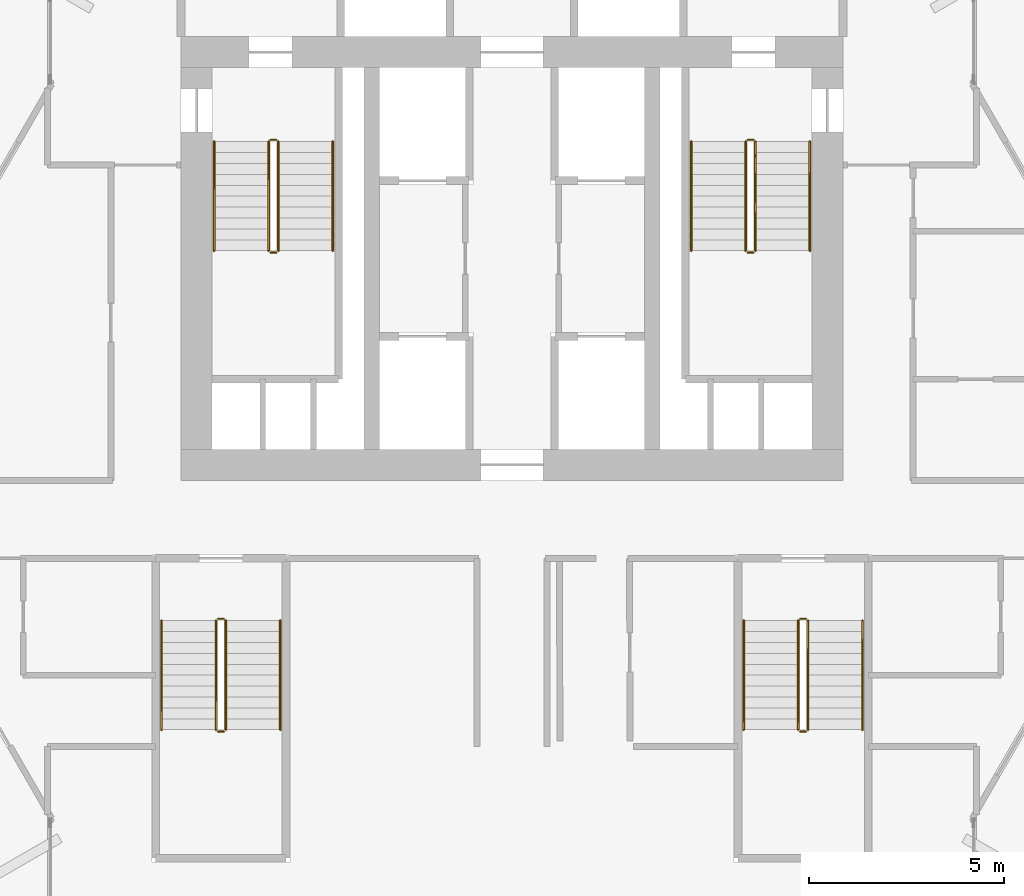
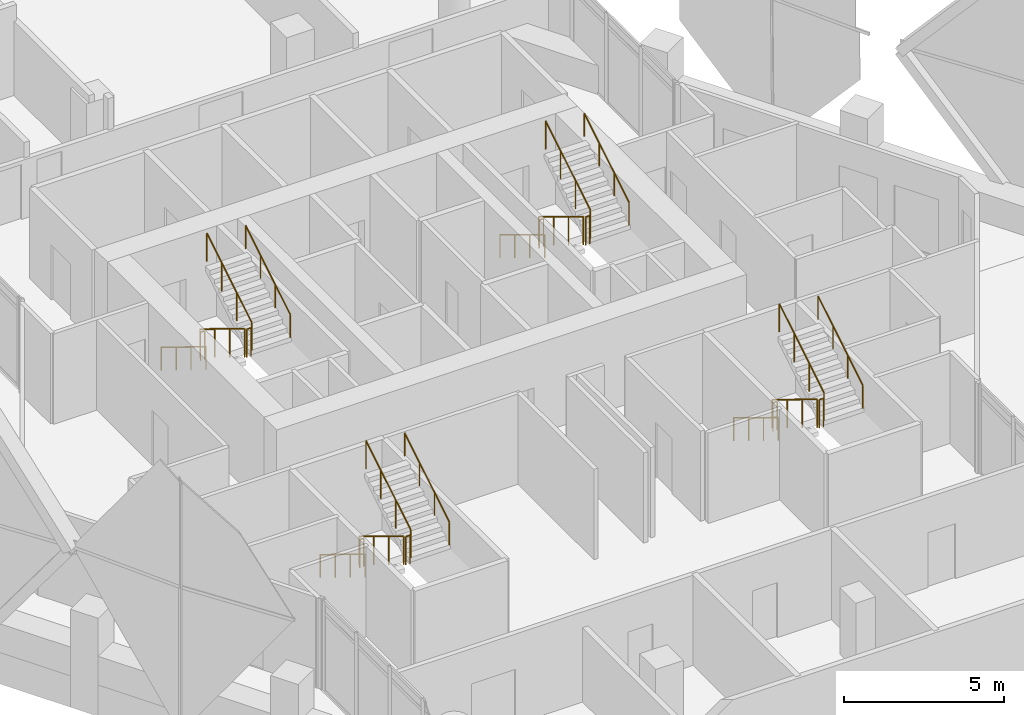
# One storey, part 37 of 37: 24 railings.
"""IFC4 building model written with IfcOpenShell, lengths in metres."""

from ifc_helpers import new_model, si_unit, direction, frame, origin, origin_2d, place, context, subcontext, project, spatial, circle, extrude, material, type_object, element, save


model = new_model("IFC4")

# Units and contexts
model_context = context("Model", 3, precision=1e-05, world=origin(), true_north=direction((0.0, 1.0)))
body_context = subcontext(model_context, "Body", "Model", "MODEL_VIEW")
ifc_project = project(units=[si_unit("LENGTHUNIT", "METRE"), si_unit("AREAUNIT", "SQUARE_METRE"), si_unit("VOLUMEUNIT", "CUBIC_METRE"), si_unit("PLANEANGLEUNIT", "RADIAN"), si_unit("MASSUNIT", "GRAM", prefix="KILO")], contexts=[model_context])

# Site, building, storey
site_placement = place(None, origin())
site = spatial("IfcSite", under=ifc_project, at=site_placement, CompositionType="ELEMENT")
building_placement = place(site_placement, origin())
building = spatial("IfcBuilding", under=site, at=building_placement, Name="Ostrander Bayou Hotel Tower", CompositionType="ELEMENT")
storey_placement = place(building_placement, frame((0.0, 0.0, 198.25)))
storey = spatial("IfcBuildingStorey", under=building, at=storey_placement, Name="L49", CompositionType="ELEMENT", Elevation=198.25)

# Railings
ifc_material_1 = material(Name="Steel ASTM A500 Gr C", Category="steel")
railing_type_1 = type_object("IfcRailingType", Name="GR1 stair guard 1100 mm steel", PredefinedType="GUARDRAIL", material=ifc_material_1)
railing_1_placement = place(storey_placement, frame((-6.25, 7.0, 0.17041015625)))
element("IfcRailing", 1, at=railing_1_placement, inside=storey, type_object=railing_type_1, Name="L49 STA stair guard 1", PredefinedType="GUARDRAIL", context=body_context, shape_type="SweptSolid", body=[
    extrude(circle(Radius=0.02392578125, at=origin_2d()), frame((0.0, 0.0, 1.076171875), z_axis=(0.0, -0.854169791009, 0.51999420009), x_axis=(1.0, 0.0, 0.0)), (0.0, 0.0, 1.0), 3.278076171875),
    extrude(circle(Radius=0.02099609375, at=origin_2d()), origin(), (0.0, 0.0, 1.0), 1.052001953125),
    extrude(circle(Radius=0.02099609375, at=origin_2d()), frame((0.0, -0.933349609375, 0.568115234375)), (0.0, 0.0, 1.0), 1.052001953125),
    extrude(circle(Radius=0.02099609375, at=origin_2d()), frame((0.0, -1.86669921875, 1.136474609375)), (0.0, 0.0, 1.0), 1.052001953125),
    extrude(circle(Radius=0.02099609375, at=origin_2d()), frame((0.0, -2.800048828125, 1.70458984375)), (0.0, 0.0, 1.0), 1.052001953125),
])
railing_2_placement = place(storey_placement, frame((-6.199951171875, 4.14990234375, 1.875)))
element("IfcRailing", 2, at=railing_2_placement, inside=storey, type_object=railing_type_1, Name="L49 STA stair guard 2", PredefinedType="GUARDRAIL", context=body_context, shape_type="SweptSolid", body=[
    extrude(circle(Radius=0.02392578125, at=origin_2d()), frame((0.0, 0.0, 1.076171875), z_axis=(1.0, 0.0, 0.0), x_axis=(0.0, 1.0, 0.0)), (0.0, 0.0, 1.0), 0.14990234375),
    extrude(circle(Radius=0.02099609375, at=origin_2d()), origin(), (0.0, 0.0, 1.0), 1.052001953125),
    extrude(circle(Radius=0.02099609375, at=origin_2d()), frame((0.14990234375, 0.0, 0.0)), (0.0, 0.0, 1.0), 1.052001953125),
])
railing_3_placement = place(storey_placement, frame((-6.0, 4.199951171875, 2.04541015625)))
element("IfcRailing", 3, at=railing_3_placement, inside=storey, type_object=railing_type_1, Name="L49 STA stair guard 3", PredefinedType="GUARDRAIL", context=body_context, shape_type="SweptSolid", body=[
    extrude(circle(Radius=0.02392578125, at=origin_2d()), frame((0.0, 0.0, 1.076171875), z_axis=(0.0, 0.854169791009, 0.51999420009), x_axis=(-1.0, 0.0, 0.0)), (0.0, 0.0, 1.0), 3.278076171875),
    extrude(circle(Radius=0.02099609375, at=origin_2d()), origin(), (0.0, 0.0, 1.0), 1.052001953125),
    extrude(circle(Radius=0.02099609375, at=origin_2d()), frame((0.0, 0.933349609375, 0.568115234375)), (0.0, 0.0, 1.0), 1.052001953125),
    extrude(circle(Radius=0.02099609375, at=origin_2d()), frame((0.0, 1.86669921875, 1.136474609375)), (0.0, 0.0, 1.0), 1.052001953125),
    extrude(circle(Radius=0.02099609375, at=origin_2d()), frame((0.0, 2.800048828125, 1.70458984375)), (0.0, 0.0, 1.0), 1.052001953125),
])
railing_4_placement = place(storey_placement, frame((-6.199951171875, 7.050048828125, 0.0)))
element("IfcRailing", 4, at=railing_4_placement, inside=storey, type_object=railing_type_1, Name="L49 STA stair guard 4", PredefinedType="GUARDRAIL", context=body_context, shape_type="SweptSolid", body=[
    extrude(circle(Radius=0.02392578125, at=origin_2d()), frame((0.0, 0.0, 1.076171875), z_axis=(1.0, 0.0, 0.0), x_axis=(0.0, 1.0, 0.0)), (0.0, 0.0, 1.0), 0.14990234375),
    extrude(circle(Radius=0.02099609375, at=origin_2d()), origin(), (0.0, 0.0, 1.0), 1.052001953125),
    extrude(circle(Radius=0.02099609375, at=origin_2d()), frame((0.14990234375, 0.0, 0.0)), (0.0, 0.0, 1.0), 1.052001953125),
])
railing_5_placement = place(storey_placement, frame((6.0, 7.0, 0.17041015625)))
element("IfcRailing", 5, at=railing_5_placement, inside=storey, type_object=railing_type_1, Name="L49 STB stair guard 1", PredefinedType="GUARDRAIL", context=body_context, shape_type="SweptSolid", body=[
    extrude(circle(Radius=0.02392578125, at=origin_2d()), frame((0.0, 0.0, 1.076171875), z_axis=(0.0, -0.854169791009, 0.51999420009), x_axis=(1.0, 0.0, 0.0)), (0.0, 0.0, 1.0), 3.278076171875),
    extrude(circle(Radius=0.02099609375, at=origin_2d()), origin(), (0.0, 0.0, 1.0), 1.052001953125),
    extrude(circle(Radius=0.02099609375, at=origin_2d()), frame((0.0, -0.933349609375, 0.568115234375)), (0.0, 0.0, 1.0), 1.052001953125),
    extrude(circle(Radius=0.02099609375, at=origin_2d()), frame((0.0, -1.86669921875, 1.136474609375)), (0.0, 0.0, 1.0), 1.052001953125),
    extrude(circle(Radius=0.02099609375, at=origin_2d()), frame((0.0, -2.800048828125, 1.70458984375)), (0.0, 0.0, 1.0), 1.052001953125),
])
railing_6_placement = place(storey_placement, frame((6.050048828125, 4.14990234375, 1.875)))
element("IfcRailing", 6, at=railing_6_placement, inside=storey, type_object=railing_type_1, Name="L49 STB stair guard 2", PredefinedType="GUARDRAIL", context=body_context, shape_type="SweptSolid", body=[
    extrude(circle(Radius=0.02392578125, at=origin_2d()), frame((0.0, 0.0, 1.076171875), z_axis=(1.0, 0.0, 0.0), x_axis=(0.0, 1.0, 0.0)), (0.0, 0.0, 1.0), 0.14990234375),
    extrude(circle(Radius=0.02099609375, at=origin_2d()), origin(), (0.0, 0.0, 1.0), 1.052001953125),
    extrude(circle(Radius=0.02099609375, at=origin_2d()), frame((0.14990234375, 0.0, 0.0)), (0.0, 0.0, 1.0), 1.052001953125),
])
railing_7_placement = place(storey_placement, frame((6.25, 4.199951171875, 2.04541015625)))
element("IfcRailing", 7, at=railing_7_placement, inside=storey, type_object=railing_type_1, Name="L49 STB stair guard 3", PredefinedType="GUARDRAIL", context=body_context, shape_type="SweptSolid", body=[
    extrude(circle(Radius=0.02392578125, at=origin_2d()), frame((0.0, 0.0, 1.076171875), z_axis=(0.0, 0.854169791009, 0.51999420009), x_axis=(-1.0, 0.0, 0.0)), (0.0, 0.0, 1.0), 3.278076171875),
    extrude(circle(Radius=0.02099609375, at=origin_2d()), origin(), (0.0, 0.0, 1.0), 1.052001953125),
    extrude(circle(Radius=0.02099609375, at=origin_2d()), frame((0.0, 0.933349609375, 0.568115234375)), (0.0, 0.0, 1.0), 1.052001953125),
    extrude(circle(Radius=0.02099609375, at=origin_2d()), frame((0.0, 1.86669921875, 1.136474609375)), (0.0, 0.0, 1.0), 1.052001953125),
    extrude(circle(Radius=0.02099609375, at=origin_2d()), frame((0.0, 2.800048828125, 1.70458984375)), (0.0, 0.0, 1.0), 1.052001953125),
])
railing_8_placement = place(storey_placement, frame((6.050048828125, 7.050048828125, 0.0)))
element("IfcRailing", 8, at=railing_8_placement, inside=storey, type_object=railing_type_1, Name="L49 STB stair guard 4", PredefinedType="GUARDRAIL", context=body_context, shape_type="SweptSolid", body=[
    extrude(circle(Radius=0.02392578125, at=origin_2d()), frame((0.0, 0.0, 1.076171875), z_axis=(1.0, 0.0, 0.0), x_axis=(0.0, 1.0, 0.0)), (0.0, 0.0, 1.0), 0.14990234375),
    extrude(circle(Radius=0.02099609375, at=origin_2d()), origin(), (0.0, 0.0, 1.0), 1.052001953125),
    extrude(circle(Radius=0.02099609375, at=origin_2d()), frame((0.14990234375, 0.0, 0.0)), (0.0, 0.0, 1.0), 1.052001953125),
])
railing_9_placement = place(storey_placement, frame((7.35009765625, -5.300048828125, 0.17041015625)))
element("IfcRailing", 9, at=railing_9_placement, inside=storey, type_object=railing_type_1, Name="L49 STC stair guard 1", PredefinedType="GUARDRAIL", context=body_context, shape_type="SweptSolid", body=[
    extrude(circle(Radius=0.02392578125, at=origin_2d()), frame((0.0, 0.0, 1.076171875), z_axis=(0.0, -0.854169791009, 0.51999420009), x_axis=(1.0, 0.0, 0.0)), (0.0, 0.0, 1.0), 3.278076171875),
    extrude(circle(Radius=0.02099609375, at=origin_2d()), origin(), (0.0, 0.0, 1.0), 1.052001953125),
    extrude(circle(Radius=0.02099609375, at=origin_2d()), frame((0.0, -0.933349609375, 0.568115234375)), (0.0, 0.0, 1.0), 1.052001953125),
    extrude(circle(Radius=0.02099609375, at=origin_2d()), frame((0.0, -1.86669921875, 1.136474609375)), (0.0, 0.0, 1.0), 1.052001953125),
    extrude(circle(Radius=0.02099609375, at=origin_2d()), frame((0.0, -2.800048828125, 1.70458984375)), (0.0, 0.0, 1.0), 1.052001953125),
])
railing_10_placement = place(storey_placement, frame((7.39990234375, -8.14990234375, 1.875)))
element("IfcRailing", 10, at=railing_10_placement, inside=storey, type_object=railing_type_1, Name="L49 STC stair guard 2", PredefinedType="GUARDRAIL", context=body_context, shape_type="SweptSolid", body=[
    extrude(circle(Radius=0.02392578125, at=origin_2d()), frame((0.0, 0.0, 1.076171875), z_axis=(1.0, 0.0, 0.0), x_axis=(0.0, 1.0, 0.0)), (0.0, 0.0, 1.0), 0.150146484375),
    extrude(circle(Radius=0.02099609375, at=origin_2d()), origin(), (0.0, 0.0, 1.0), 1.052001953125),
    extrude(circle(Radius=0.02099609375, at=origin_2d()), frame((0.150146484375, 0.0, 0.0)), (0.0, 0.0, 1.0), 1.052001953125),
])
railing_11_placement = place(storey_placement, frame((7.60009765625, -8.10009765625, 2.04541015625)))
element("IfcRailing", 11, at=railing_11_placement, inside=storey, type_object=railing_type_1, Name="L49 STC stair guard 3", PredefinedType="GUARDRAIL", context=body_context, shape_type="SweptSolid", body=[
    extrude(circle(Radius=0.02392578125, at=origin_2d()), frame((0.0, 0.0, 1.076171875), z_axis=(0.0, 0.854169791009, 0.51999420009), x_axis=(-1.0, 0.0, 0.0)), (0.0, 0.0, 1.0), 3.278076171875),
    extrude(circle(Radius=0.02099609375, at=origin_2d()), origin(), (0.0, 0.0, 1.0), 1.052001953125),
    extrude(circle(Radius=0.02099609375, at=origin_2d()), frame((0.0, 0.933349609375, 0.568115234375)), (0.0, 0.0, 1.0), 1.052001953125),
    extrude(circle(Radius=0.02099609375, at=origin_2d()), frame((0.0, 1.86669921875, 1.136474609375)), (0.0, 0.0, 1.0), 1.052001953125),
    extrude(circle(Radius=0.02099609375, at=origin_2d()), frame((0.0, 2.800048828125, 1.70458984375)), (0.0, 0.0, 1.0), 1.052001953125),
])
railing_12_placement = place(storey_placement, frame((7.39990234375, -5.25, 0.0)))
element("IfcRailing", 12, at=railing_12_placement, inside=storey, type_object=railing_type_1, Name="L49 STC stair guard 4", PredefinedType="GUARDRAIL", context=body_context, shape_type="SweptSolid", body=[
    extrude(circle(Radius=0.02392578125, at=origin_2d()), frame((0.0, 0.0, 1.076171875), z_axis=(1.0, 0.0, 0.0), x_axis=(0.0, 1.0, 0.0)), (0.0, 0.0, 1.0), 0.150146484375),
    extrude(circle(Radius=0.02099609375, at=origin_2d()), origin(), (0.0, 0.0, 1.0), 1.052001953125),
    extrude(circle(Radius=0.02099609375, at=origin_2d()), frame((0.150146484375, 0.0, 0.0)), (0.0, 0.0, 1.0), 1.052001953125),
])
railing_13_placement = place(storey_placement, frame((-7.60009765625, -5.300048828125, 0.17041015625)))
element("IfcRailing", 13, at=railing_13_placement, inside=storey, type_object=railing_type_1, Name="L49 STD stair guard 1", PredefinedType="GUARDRAIL", context=body_context, shape_type="SweptSolid", body=[
    extrude(circle(Radius=0.02392578125, at=origin_2d()), frame((0.0, 0.0, 1.076171875), z_axis=(0.0, -0.854169791009, 0.51999420009), x_axis=(1.0, 0.0, 0.0)), (0.0, 0.0, 1.0), 3.278076171875),
    extrude(circle(Radius=0.02099609375, at=origin_2d()), origin(), (0.0, 0.0, 1.0), 1.052001953125),
    extrude(circle(Radius=0.02099609375, at=origin_2d()), frame((0.0, -0.933349609375, 0.568115234375)), (0.0, 0.0, 1.0), 1.052001953125),
    extrude(circle(Radius=0.02099609375, at=origin_2d()), frame((0.0, -1.86669921875, 1.136474609375)), (0.0, 0.0, 1.0), 1.052001953125),
    extrude(circle(Radius=0.02099609375, at=origin_2d()), frame((0.0, -2.800048828125, 1.70458984375)), (0.0, 0.0, 1.0), 1.052001953125),
])
railing_14_placement = place(storey_placement, frame((-7.550048828125, -8.14990234375, 1.875)))
element("IfcRailing", 14, at=railing_14_placement, inside=storey, type_object=railing_type_1, Name="L49 STD stair guard 2", PredefinedType="GUARDRAIL", context=body_context, shape_type="SweptSolid", body=[
    extrude(circle(Radius=0.02392578125, at=origin_2d()), frame((0.0, 0.0, 1.076171875), z_axis=(1.0, 0.0, 0.0), x_axis=(0.0, 1.0, 0.0)), (0.0, 0.0, 1.0), 0.150146484375),
    extrude(circle(Radius=0.02099609375, at=origin_2d()), origin(), (0.0, 0.0, 1.0), 1.052001953125),
    extrude(circle(Radius=0.02099609375, at=origin_2d()), frame((0.150146484375, 0.0, 0.0)), (0.0, 0.0, 1.0), 1.052001953125),
])
railing_15_placement = place(storey_placement, frame((-7.35009765625, -8.10009765625, 2.04541015625)))
element("IfcRailing", 15, at=railing_15_placement, inside=storey, type_object=railing_type_1, Name="L49 STD stair guard 3", PredefinedType="GUARDRAIL", context=body_context, shape_type="SweptSolid", body=[
    extrude(circle(Radius=0.02392578125, at=origin_2d()), frame((0.0, 0.0, 1.076171875), z_axis=(0.0, 0.854169791009, 0.51999420009), x_axis=(-1.0, 0.0, 0.0)), (0.0, 0.0, 1.0), 3.278076171875),
    extrude(circle(Radius=0.02099609375, at=origin_2d()), origin(), (0.0, 0.0, 1.0), 1.052001953125),
    extrude(circle(Radius=0.02099609375, at=origin_2d()), frame((0.0, 0.933349609375, 0.568115234375)), (0.0, 0.0, 1.0), 1.052001953125),
    extrude(circle(Radius=0.02099609375, at=origin_2d()), frame((0.0, 1.86669921875, 1.136474609375)), (0.0, 0.0, 1.0), 1.052001953125),
    extrude(circle(Radius=0.02099609375, at=origin_2d()), frame((0.0, 2.800048828125, 1.70458984375)), (0.0, 0.0, 1.0), 1.052001953125),
])
railing_16_placement = place(storey_placement, frame((-7.550048828125, -5.25, 0.0)))
element("IfcRailing", 16, at=railing_16_placement, inside=storey, type_object=railing_type_1, Name="L49 STD stair guard 4", PredefinedType="GUARDRAIL", context=body_context, shape_type="SweptSolid", body=[
    extrude(circle(Radius=0.02392578125, at=origin_2d()), frame((0.0, 0.0, 1.076171875), z_axis=(1.0, 0.0, 0.0), x_axis=(0.0, 1.0, 0.0)), (0.0, 0.0, 1.0), 0.150146484375),
    extrude(circle(Radius=0.02099609375, at=origin_2d()), origin(), (0.0, 0.0, 1.0), 1.052001953125),
    extrude(circle(Radius=0.02099609375, at=origin_2d()), frame((0.150146484375, 0.0, 0.0)), (0.0, 0.0, 1.0), 1.052001953125),
])
ifc_material_2 = material(Name="Steel ASTM A500 Gr C", Category="steel")
railing_type_2 = type_object("IfcRailingType", Name="HR1 stair handrail 900 mm steel", PredefinedType="HANDRAIL", material=ifc_material_2)
railing_17_placement = place(storey_placement, frame((-7.64990234375, 7.0, 0.17041015625)))
element("IfcRailing", 17, at=railing_17_placement, inside=storey, type_object=railing_type_2, Name="L49 STA stair handrail 1", PredefinedType="HANDRAIL", context=body_context, shape_type="SweptSolid", body=[
    extrude(circle(Radius=0.02392578125, at=origin_2d()), frame((0.0, 0.0, 0.8759765625), z_axis=(0.0, -0.854169791009, 0.51999420009), x_axis=(1.0, 0.0, 0.0)), (0.0, 0.0, 1.0), 3.278076171875),
    extrude(circle(Radius=0.02099609375, at=origin_2d()), origin(), (0.0, 0.0, 1.0), 0.851806640625),
    extrude(circle(Radius=0.02099609375, at=origin_2d()), frame((0.0, -0.933349609375, 0.568115234375)), (0.0, 0.0, 1.0), 0.851806640625),
    extrude(circle(Radius=0.02099609375, at=origin_2d()), frame((0.0, -1.86669921875, 1.136474609375)), (0.0, 0.0, 1.0), 0.851806640625),
    extrude(circle(Radius=0.02099609375, at=origin_2d()), frame((0.0, -2.800048828125, 1.70458984375)), (0.0, 0.0, 1.0), 0.851806640625),
])
railing_18_placement = place(storey_placement, frame((-4.60009765625, 4.199951171875, 2.04541015625)))
element("IfcRailing", 18, at=railing_18_placement, inside=storey, type_object=railing_type_2, Name="L49 STA stair handrail 2", PredefinedType="HANDRAIL", context=body_context, shape_type="SweptSolid", body=[
    extrude(circle(Radius=0.02392578125, at=origin_2d()), frame((0.0, 0.0, 0.8759765625), z_axis=(0.0, 0.854169791009, 0.51999420009), x_axis=(-1.0, 0.0, 0.0)), (0.0, 0.0, 1.0), 3.278076171875),
    extrude(circle(Radius=0.02099609375, at=origin_2d()), origin(), (0.0, 0.0, 1.0), 0.851806640625),
    extrude(circle(Radius=0.02099609375, at=origin_2d()), frame((0.0, 0.933349609375, 0.568115234375)), (0.0, 0.0, 1.0), 0.851806640625),
    extrude(circle(Radius=0.02099609375, at=origin_2d()), frame((0.0, 1.86669921875, 1.136474609375)), (0.0, 0.0, 1.0), 0.851806640625),
    extrude(circle(Radius=0.02099609375, at=origin_2d()), frame((0.0, 2.800048828125, 1.70458984375)), (0.0, 0.0, 1.0), 0.851806640625),
])
railing_19_placement = place(storey_placement, frame((4.60009765625, 7.0, 0.17041015625)))
element("IfcRailing", 19, at=railing_19_placement, inside=storey, type_object=railing_type_2, Name="L49 STB stair handrail 1", PredefinedType="HANDRAIL", context=body_context, shape_type="SweptSolid", body=[
    extrude(circle(Radius=0.02392578125, at=origin_2d()), frame((0.0, 0.0, 0.8759765625), z_axis=(0.0, -0.854169791009, 0.51999420009), x_axis=(1.0, 0.0, 0.0)), (0.0, 0.0, 1.0), 3.278076171875),
    extrude(circle(Radius=0.02099609375, at=origin_2d()), origin(), (0.0, 0.0, 1.0), 0.851806640625),
    extrude(circle(Radius=0.02099609375, at=origin_2d()), frame((0.0, -0.933349609375, 0.568115234375)), (0.0, 0.0, 1.0), 0.851806640625),
    extrude(circle(Radius=0.02099609375, at=origin_2d()), frame((0.0, -1.86669921875, 1.136474609375)), (0.0, 0.0, 1.0), 0.851806640625),
    extrude(circle(Radius=0.02099609375, at=origin_2d()), frame((0.0, -2.800048828125, 1.70458984375)), (0.0, 0.0, 1.0), 0.851806640625),
])
railing_20_placement = place(storey_placement, frame((7.64990234375, 4.199951171875, 2.04541015625)))
element("IfcRailing", 20, at=railing_20_placement, inside=storey, type_object=railing_type_2, Name="L49 STB stair handrail 2", PredefinedType="HANDRAIL", context=body_context, shape_type="SweptSolid", body=[
    extrude(circle(Radius=0.02392578125, at=origin_2d()), frame((0.0, 0.0, 0.8759765625), z_axis=(0.0, 0.854169791009, 0.51999420009), x_axis=(-1.0, 0.0, 0.0)), (0.0, 0.0, 1.0), 3.278076171875),
    extrude(circle(Radius=0.02099609375, at=origin_2d()), origin(), (0.0, 0.0, 1.0), 0.851806640625),
    extrude(circle(Radius=0.02099609375, at=origin_2d()), frame((0.0, 0.933349609375, 0.568115234375)), (0.0, 0.0, 1.0), 0.851806640625),
    extrude(circle(Radius=0.02099609375, at=origin_2d()), frame((0.0, 1.86669921875, 1.136474609375)), (0.0, 0.0, 1.0), 0.851806640625),
    extrude(circle(Radius=0.02099609375, at=origin_2d()), frame((0.0, 2.800048828125, 1.70458984375)), (0.0, 0.0, 1.0), 0.851806640625),
])
railing_21_placement = place(storey_placement, frame((5.949951171875, -5.300048828125, 0.17041015625)))
element("IfcRailing", 21, at=railing_21_placement, inside=storey, type_object=railing_type_2, Name="L49 STC stair handrail 1", PredefinedType="HANDRAIL", context=body_context, shape_type="SweptSolid", body=[
    extrude(circle(Radius=0.02392578125, at=origin_2d()), frame((0.0, 0.0, 0.8759765625), z_axis=(0.0, -0.854169791009, 0.51999420009), x_axis=(1.0, 0.0, 0.0)), (0.0, 0.0, 1.0), 3.278076171875),
    extrude(circle(Radius=0.02099609375, at=origin_2d()), origin(), (0.0, 0.0, 1.0), 0.851806640625),
    extrude(circle(Radius=0.02099609375, at=origin_2d()), frame((0.0, -0.933349609375, 0.568115234375)), (0.0, 0.0, 1.0), 0.851806640625),
    extrude(circle(Radius=0.02099609375, at=origin_2d()), frame((0.0, -1.86669921875, 1.136474609375)), (0.0, 0.0, 1.0), 0.851806640625),
    extrude(circle(Radius=0.02099609375, at=origin_2d()), frame((0.0, -2.800048828125, 1.70458984375)), (0.0, 0.0, 1.0), 0.851806640625),
])
railing_22_placement = place(storey_placement, frame((9.0, -8.10009765625, 2.04541015625)))
element("IfcRailing", 22, at=railing_22_placement, inside=storey, type_object=railing_type_2, Name="L49 STC stair handrail 2", PredefinedType="HANDRAIL", context=body_context, shape_type="SweptSolid", body=[
    extrude(circle(Radius=0.02392578125, at=origin_2d()), frame((0.0, 0.0, 0.8759765625), z_axis=(0.0, 0.854169791009, 0.51999420009), x_axis=(-1.0, 0.0, 0.0)), (0.0, 0.0, 1.0), 3.278076171875),
    extrude(circle(Radius=0.02099609375, at=origin_2d()), origin(), (0.0, 0.0, 1.0), 0.851806640625),
    extrude(circle(Radius=0.02099609375, at=origin_2d()), frame((0.0, 0.933349609375, 0.568115234375)), (0.0, 0.0, 1.0), 0.851806640625),
    extrude(circle(Radius=0.02099609375, at=origin_2d()), frame((0.0, 1.86669921875, 1.136474609375)), (0.0, 0.0, 1.0), 0.851806640625),
    extrude(circle(Radius=0.02099609375, at=origin_2d()), frame((0.0, 2.800048828125, 1.70458984375)), (0.0, 0.0, 1.0), 0.851806640625),
])
railing_23_placement = place(storey_placement, frame((-9.0, -5.300048828125, 0.17041015625)))
element("IfcRailing", 23, at=railing_23_placement, inside=storey, type_object=railing_type_2, Name="L49 STD stair handrail 1", PredefinedType="HANDRAIL", context=body_context, shape_type="SweptSolid", body=[
    extrude(circle(Radius=0.02392578125, at=origin_2d()), frame((0.0, 0.0, 0.8759765625), z_axis=(0.0, -0.854169791009, 0.51999420009), x_axis=(1.0, 0.0, 0.0)), (0.0, 0.0, 1.0), 3.278076171875),
    extrude(circle(Radius=0.02099609375, at=origin_2d()), origin(), (0.0, 0.0, 1.0), 0.851806640625),
    extrude(circle(Radius=0.02099609375, at=origin_2d()), frame((0.0, -0.933349609375, 0.568115234375)), (0.0, 0.0, 1.0), 0.851806640625),
    extrude(circle(Radius=0.02099609375, at=origin_2d()), frame((0.0, -1.86669921875, 1.136474609375)), (0.0, 0.0, 1.0), 0.851806640625),
    extrude(circle(Radius=0.02099609375, at=origin_2d()), frame((0.0, -2.800048828125, 1.70458984375)), (0.0, 0.0, 1.0), 0.851806640625),
])
railing_24_placement = place(storey_placement, frame((-5.949951171875, -8.10009765625, 2.04541015625)))
element("IfcRailing", 24, at=railing_24_placement, inside=storey, type_object=railing_type_2, Name="L49 STD stair handrail 2", PredefinedType="HANDRAIL", context=body_context, shape_type="SweptSolid", body=[
    extrude(circle(Radius=0.02392578125, at=origin_2d()), frame((0.0, 0.0, 0.8759765625), z_axis=(0.0, 0.854169791009, 0.51999420009), x_axis=(-1.0, 0.0, 0.0)), (0.0, 0.0, 1.0), 3.278076171875),
    extrude(circle(Radius=0.02099609375, at=origin_2d()), origin(), (0.0, 0.0, 1.0), 0.851806640625),
    extrude(circle(Radius=0.02099609375, at=origin_2d()), frame((0.0, 0.933349609375, 0.568115234375)), (0.0, 0.0, 1.0), 0.851806640625),
    extrude(circle(Radius=0.02099609375, at=origin_2d()), frame((0.0, 1.86669921875, 1.136474609375)), (0.0, 0.0, 1.0), 0.851806640625),
    extrude(circle(Radius=0.02099609375, at=origin_2d()), frame((0.0, 2.800048828125, 1.70458984375)), (0.0, 0.0, 1.0), 0.851806640625),
])

save(model, "model.ifc")
